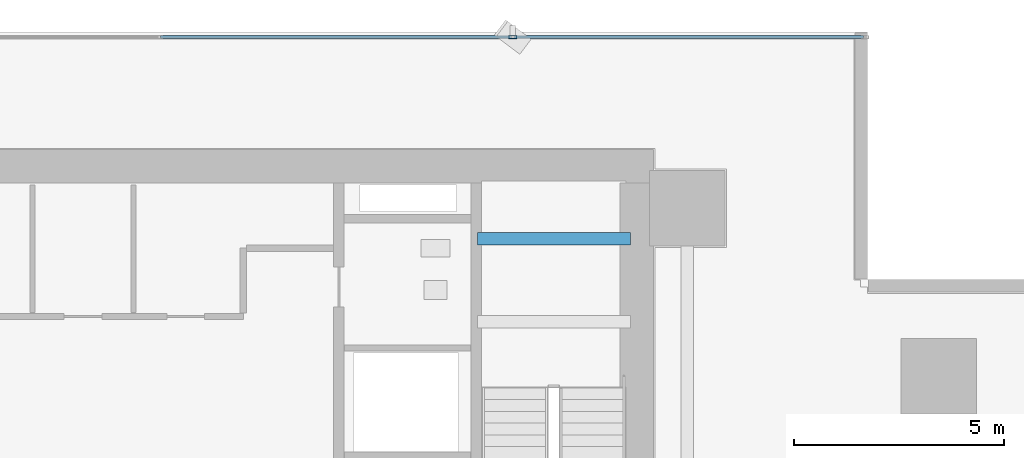
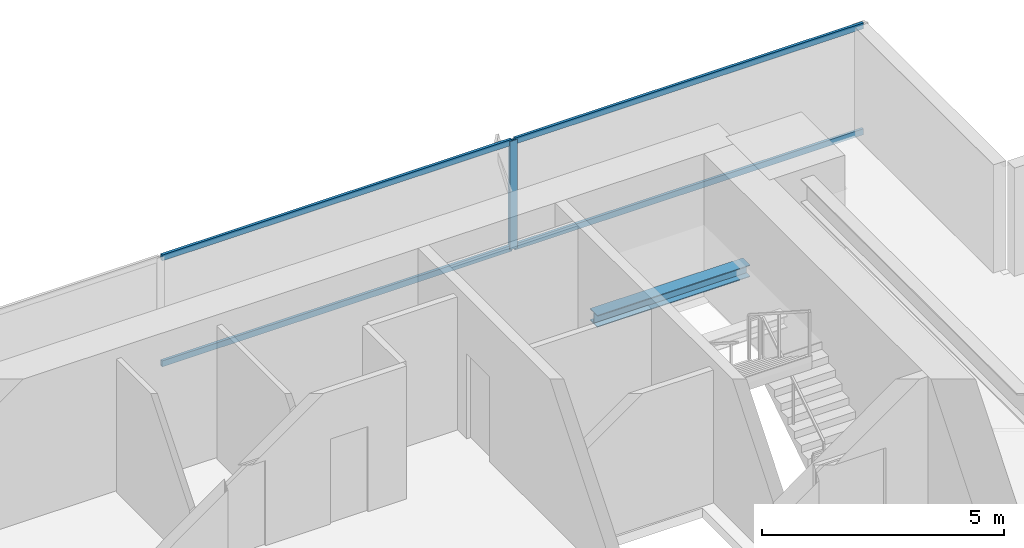
# One storey, part 21 of 32: 5 members, 1 beam, 1 element without a shape of its own.
"""IFC4 building model written with IfcOpenShell, lengths in metres."""

from ifc_helpers import new_model, si_unit, direction, frame, origin, origin_2d, place, context, subcontext, project, spatial, hollow_rectangle, i_section, extrude, source, transform, mapped, material, layer, layer_set, material_profile, profile_set, type_object, element, aggregate, save


model = new_model("IFC4")

# Units and contexts
model_context = context("Model", 3, precision=1e-05, world=origin(), true_north=direction((0.0, 1.0)))
body_context = subcontext(model_context, "Body", "Model", "MODEL_VIEW")
ifc_project = project(units=[si_unit("LENGTHUNIT", "METRE"), si_unit("AREAUNIT", "SQUARE_METRE"), si_unit("VOLUMEUNIT", "CUBIC_METRE"), si_unit("PLANEANGLEUNIT", "RADIAN"), si_unit("MASSUNIT", "GRAM", prefix="KILO")], contexts=[model_context])

# Site, building, storey
site_placement = place(None, origin())
site = spatial("IfcSite", under=ifc_project, at=site_placement, CompositionType="ELEMENT")
building_placement = place(site_placement, origin())
building = spatial("IfcBuilding", under=site, at=building_placement, Name="Sumidabori Civic Tower", CompositionType="ELEMENT")
storey_placement = place(building_placement, frame((0.0, 0.0, 45.199951171875)))
storey = spatial("IfcBuildingStorey", under=building, at=storey_placement, Name="L11", CompositionType="ELEMENT", Elevation=45.199951171875)

# Beam
ifc_material_1 = material(Name="Steel SN490", Category="steel")
ifc_material_profile_1 = material_profile(ifc_material_1, i_section(OverallWidth=0.300048828125, OverallDepth=0.300048828125, WebThickness=0.010986328125, FlangeThickness=0.01904296875, at=origin_2d()), Name="HE 300 B")
ifc_profile_set_1 = profile_set([ifc_material_profile_1], Name="Steel SN490")
beam_type = type_object("IfcBeamType", Name="BM-LDG-300", PredefinedType="BEAM", material=ifc_profile_set_1)
shared_shape_1 = source(origin(), body_context, "Body", "SweptSolid", [
    extrude(i_section(OverallWidth=0.300048828125, OverallDepth=0.300048828125, WebThickness=0.010986328125, FlangeThickness=0.01904296875, at=origin_2d()), origin(), (0.0, 0.0, 1.0), 3.64990234375),
])
beam_placement = place(storey_placement, frame((11.800048828125, 22.069580078125, 1.449951171875), z_axis=(1.0, 0.0, 0.0), x_axis=(0.0, 1.0, 0.0)))
element("IfcBeam", 1, at=beam_placement, inside=storey, type_object=beam_type, Name="Stair ST-2 Landing Trimmer Beam L11-1B", PredefinedType="BEAM", context=body_context, shape_type="MappedRepresentation", body=[
    mapped(shared_shape_1, transform((0.0, 0.0, 0.0), x_axis=(1.0, 0.0, 0.0), y_axis=(0.0, 1.0, 0.0), z_axis=(0.0, 0.0, 1.0), scale=1.0)),
])

# Curtain wall, members
ifc_material_2 = material(Name="Anodised Bronze Aluminium AW-6063-T6", Category="aluminium")
ifc_layer = layer(ifc_material_2, 0.179931640625, Name="Anodised Bronze Aluminium AW-6063-T6")
ifc_layer_set = layer_set([ifc_layer], Name="Anodised Bronze Aluminium AW-6063-T6")
curtain_wall_type = type_object("IfcCurtainWallType", Name="CW-SYS-2", PredefinedType="NOTDEFINED", material=ifc_layer_set)
curtain_wall_placement = place(storey_placement, origin())
curtain_wall = element("IfcCurtainWall", 2, at=curtain_wall_placement, inside=storey, type_object=curtain_wall_type, Name="Curtain Wall CW:L11:R07", PredefinedType="NOTDEFINED")
ifc_material_profile_2 = material_profile(ifc_material_2, hollow_rectangle(XDim=0.070068359375, YDim=0.179931640625, WallThickness=0.006103515625, at=origin_2d()), Name="ALU MULLION 180x70")
ifc_profile_set_2 = profile_set([ifc_material_profile_2], Name="Anodised Bronze Aluminium AW-6063-T6")
member_type_1 = type_object("IfcMemberType", Name="CW-MUL-180", PredefinedType="MULLION", material=ifc_profile_set_2)
shared_shape_2 = source(origin(), body_context, "Body", "SweptSolid", [
    extrude(hollow_rectangle(XDim=0.070068359375, YDim=0.179931640625, WallThickness=0.006103515625, at=origin_2d()), origin(), (0.0, 0.0, 1.0), 2.739990234375),
])
member_1_placement = place(storey_placement, frame((12.64208984375, 26.8798828125, 0.0), z_axis=(0.0, 0.0, 1.0), x_axis=(0.0, -1.0, 0.0)))
member_1 = element("IfcMember", 3, at=member_1_placement, type_object=member_type_1, Name="CW-2 mullion 2", PredefinedType="MULLION", context=body_context, shape_type="MappedRepresentation", body=[
    mapped(shared_shape_2, transform((0.0, 0.0, 0.0), x_axis=(1.0, 0.0, 0.0), y_axis=(0.0, 1.0, 0.0), z_axis=(0.0, 0.0, 1.0), scale=1.0)),
])
ifc_material_profile_3 = material_profile(ifc_material_2, hollow_rectangle(XDim=0.06494140625, YDim=0.14990234375, WallThickness=0.0048828125, at=origin_2d()), Name="ALU TRANSOM 150x65")
ifc_profile_set_3 = profile_set([ifc_material_profile_3], Name="Anodised Bronze Aluminium AW-6063-T6")
member_type_2 = type_object("IfcMemberType", Name="CW-TRN-150", PredefinedType="USERDEFINED", material=ifc_profile_set_3)
shared_shape_3 = source(origin(), body_context, "Body", "SweptSolid", [
    extrude(hollow_rectangle(XDim=0.06494140625, YDim=0.14990234375, WallThickness=0.0048828125, at=origin_2d()), origin(), (0.0, 0.0, 1.0), 8.322998046875),
])
member_2_placement = place(storey_placement, frame((21.0, 26.8798828125, 0.032470703125), z_axis=(-1.0, 0.0, 0.0), x_axis=(0.0, -1.0, 0.0)))
member_2 = element("IfcMember", 4, at=member_2_placement, type_object=member_type_2, Name="CW-2 transom 1.1", ObjectType="TRANSOM", PredefinedType="USERDEFINED", context=body_context, shape_type="MappedRepresentation", body=[
    mapped(shared_shape_3, transform((0.0, 0.0, 0.0), x_axis=(1.0, 0.0, 0.0), y_axis=(0.0, 1.0, 0.0), z_axis=(0.0, 0.0, 1.0), scale=1.0)),
])
member_3_placement = place(storey_placement, frame((21.0, 26.8798828125, 2.70751953125), z_axis=(-1.0, 0.0, 0.0), x_axis=(0.0, -1.0, 0.0)))
member_3 = element("IfcMember", 5, at=member_3_placement, type_object=member_type_2, Name="CW-2 transom 1.2", ObjectType="TRANSOM", PredefinedType="USERDEFINED", context=body_context, shape_type="MappedRepresentation", body=[
    mapped(shared_shape_3, transform((0.0, 0.0, 0.0), x_axis=(1.0, 0.0, 0.0), y_axis=(0.0, 1.0, 0.0), z_axis=(0.0, 0.0, 1.0), scale=1.0)),
])
shared_shape_4 = source(origin(), body_context, "Body", "SweptSolid", [
    extrude(hollow_rectangle(XDim=0.06494140625, YDim=0.14990234375, WallThickness=0.0048828125, at=origin_2d()), origin(), (0.0, 0.0, 1.0), 8.35791015625),
])
member_4_placement = place(storey_placement, frame((12.60693359375, 26.8798828125, 0.032470703125), z_axis=(-1.0, 0.0, 0.0), x_axis=(0.0, -1.0, 0.0)))
member_4 = element("IfcMember", 6, at=member_4_placement, type_object=member_type_2, Name="CW-2 transom 2.1", ObjectType="TRANSOM", PredefinedType="USERDEFINED", context=body_context, shape_type="MappedRepresentation", body=[
    mapped(shared_shape_4, transform((0.0, 0.0, 0.0), x_axis=(1.0, 0.0, 0.0), y_axis=(0.0, 1.0, 0.0), z_axis=(0.0, 0.0, 1.0), scale=1.0)),
])
member_5_placement = place(storey_placement, frame((12.60693359375, 26.8798828125, 2.70751953125), z_axis=(-1.0, 0.0, 0.0), x_axis=(0.0, -1.0, 0.0)))
member_5 = element("IfcMember", 7, at=member_5_placement, type_object=member_type_2, Name="CW-2 transom 2.2", ObjectType="TRANSOM", PredefinedType="USERDEFINED", context=body_context, shape_type="MappedRepresentation", body=[
    mapped(shared_shape_4, transform((0.0, 0.0, 0.0), x_axis=(1.0, 0.0, 0.0), y_axis=(0.0, 1.0, 0.0), z_axis=(0.0, 0.0, 1.0), scale=1.0)),
])
aggregate(curtain_wall, [member_1, member_2, member_3, member_4, member_5])

save(model, "model.ifc")
